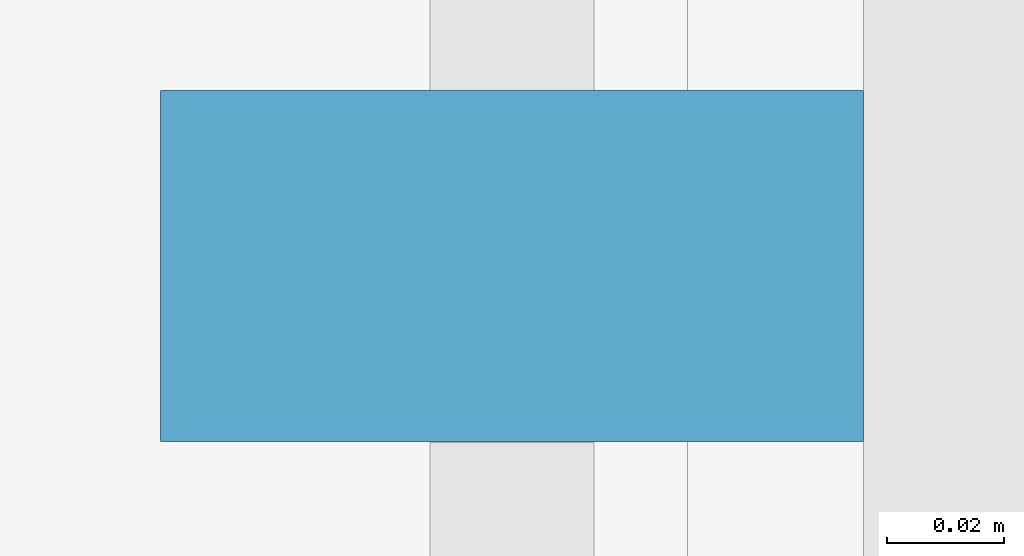
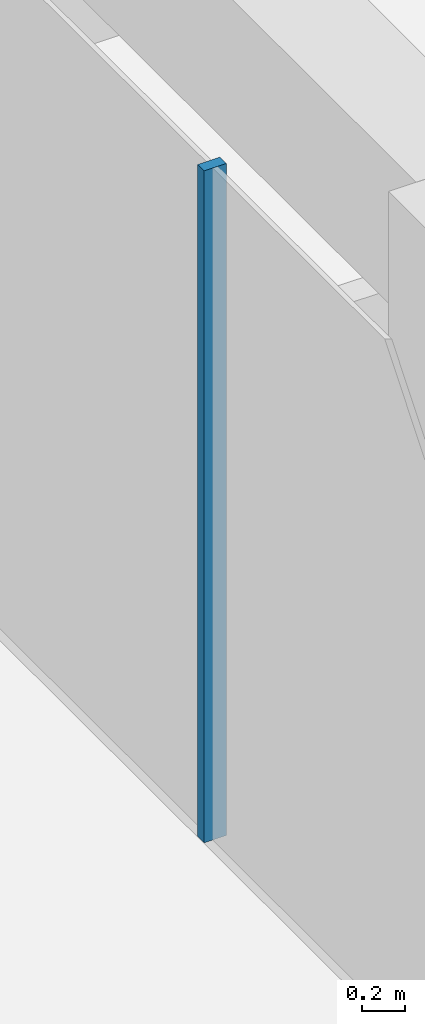
# One storey, part 10 of 22: 1 member, 1 element without a shape of its own.
"""IFC4 building model written with IfcOpenShell, lengths in metres."""

from ifc_helpers import new_model, si_unit, direction, frame, origin, origin_2d, place, context, subcontext, project, spatial, rectangle, extrude, material, layer, layer_set, material_profile, profile_set, type_object, element, aggregate, save


model = new_model("IFC4")

# Units and contexts
model_context = context("Model", 3, precision=1e-05, world=origin(), true_north=direction((0.0, 1.0)))
body_context = subcontext(model_context, "Body", "Model", "MODEL_VIEW")
ifc_project = project(units=[si_unit("LENGTHUNIT", "METRE"), si_unit("AREAUNIT", "SQUARE_METRE"), si_unit("VOLUMEUNIT", "CUBIC_METRE"), si_unit("PLANEANGLEUNIT", "RADIAN"), si_unit("MASSUNIT", "GRAM", prefix="KILO")], contexts=[model_context])

# Site, building, storey
site_placement = place(None, origin())
site = spatial("IfcSite", under=ifc_project, at=site_placement, CompositionType="ELEMENT")
building_placement = place(site_placement, origin())
building = spatial("IfcBuilding", under=site, at=building_placement, Name="Welwitschia Terrace Campus", CompositionType="ELEMENT")
storey_placement = place(building_placement, frame((0.0, 0.0, 155.0)))
storey = spatial("IfcBuildingStorey", under=building, at=storey_placement, Name="L34", CompositionType="ELEMENT", Elevation=155.0)

# Curtain wall, member
ifc_material_1 = material(Name="Bronze anodised aluminium", Category="aluminium")
ifc_layer = layer(ifc_material_1, 0.1201171875)
ifc_layer_set = layer_set([ifc_layer], Name="Bronze anodised aluminium")
curtain_wall_type = type_object("IfcCurtainWallType", Name="Curtain wall CW2 tower 6000", PredefinedType="NOTDEFINED", material=ifc_layer_set)
curtain_wall_placement = place(storey_placement, origin())
curtain_wall = element("IfcCurtainWall", 1, at=curtain_wall_placement, inside=storey, type_object=curtain_wall_type, Name="CW L34.11.0", PredefinedType="NOTDEFINED")
ifc_material_2 = material(Name="Bronze anodised aluminium", Category="aluminium")
ifc_material_profile = material_profile(ifc_material_2, rectangle(XDim=0.1201171875, YDim=0.06005859375, at=origin_2d()))
ifc_profile_set = profile_set([ifc_material_profile], Name="Bronze anodised aluminium")
member_type = type_object("IfcMemberType", Name="Mullion 60x120", PredefinedType="MULLION", material=ifc_profile_set)
member_placement = place(storey_placement, frame((-1.030029296875, 45.03369140625, 0.0), z_axis=(0.0, 0.0, 1.0), x_axis=(1.0, 0.0, 0.0)))
member = element("IfcMember", 2, at=member_placement, type_object=member_type, Name="Mullion L34.11.0.3", PredefinedType="MULLION", context=body_context, shape_type="SweptSolid", body=[
    extrude(rectangle(XDim=0.1201171875, YDim=0.06005859375, at=origin_2d()), origin(), (0.0, 0.0, 1.0), 3.85009765625),
])
aggregate(curtain_wall, [member])

save(model, "model.ifc")
